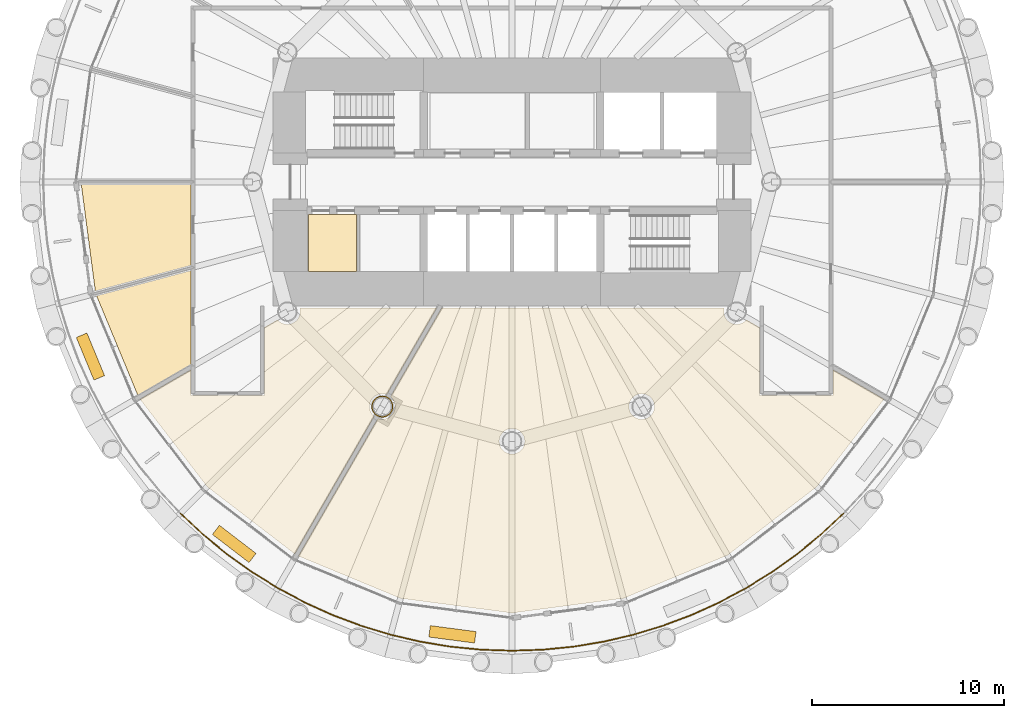
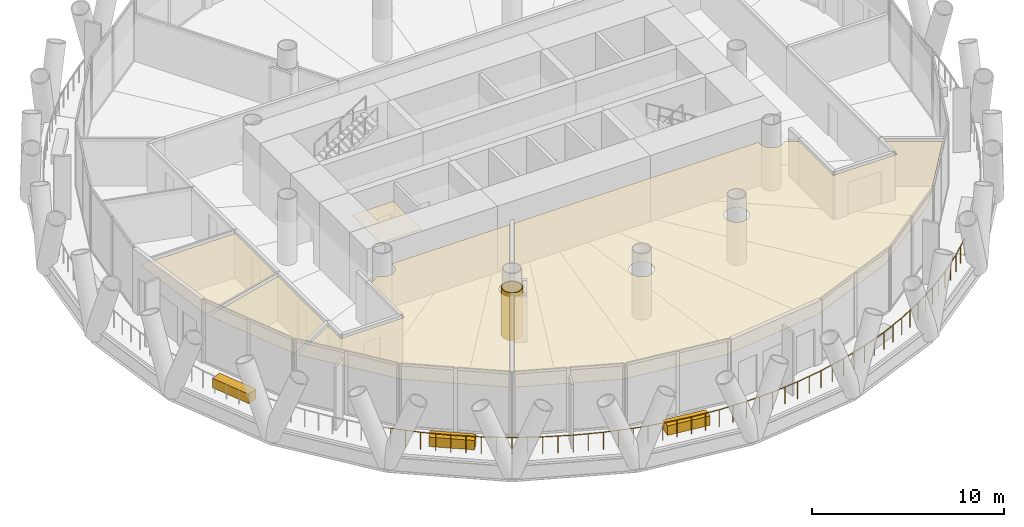
# One storey, part 11 of 14: 9 coverings, 1 railing.
"""IFC4 building model written with IfcOpenShell, lengths in metres."""

from ifc_helpers import new_model, si_unit, direction, frame, origin, origin_2d, place, context, subcontext, project, spatial, polyline, rectangle, circle, outline, extrude, material, layer, layer_set, type_object, element, save


model = new_model("IFC4")

# Units and contexts
model_context = context("Model", 3, precision=1e-05, world=origin(), true_north=direction((0.0, 1.0)))
body_context = subcontext(model_context, "Body", "Model", "MODEL_VIEW")
ifc_project = project(units=[si_unit("LENGTHUNIT", "METRE"), si_unit("AREAUNIT", "SQUARE_METRE"), si_unit("VOLUMEUNIT", "CUBIC_METRE"), si_unit("PLANEANGLEUNIT", "RADIAN"), si_unit("MASSUNIT", "GRAM", prefix="KILO")], contexts=[model_context])

# Site, building, storey
site_placement = place(None, origin())
site = spatial("IfcSite", under=ifc_project, at=site_placement, CompositionType="ELEMENT")
building_placement = place(site_placement, origin())
building = spatial("IfcBuilding", under=site, at=building_placement, Name="Qaws Media Tower", CompositionType="ELEMENT")
storey_placement = place(building_placement, frame((0.0, 0.0, 126.800048828125)))
storey = spatial("IfcBuildingStorey", under=building, at=storey_placement, Name="L28", CompositionType="ELEMENT", Elevation=126.800048828125)

# Railing
ifc_material_1 = material(Name="Stainless steel and glass guard", Category="steel")
railing_type = type_object("IfcRailingType", Name="Balcony guard 1100", PredefinedType="GUARDRAIL", material=ifc_material_1)
railing_placement = place(storey_placement, frame((42.74658203125, 32.74658203125, 0.0)))
element("IfcRailing", 1, at=railing_placement, inside=storey, type_object=railing_type, Name="GR1 balcony guard L28-3", PredefinedType="GUARDRAIL", context=body_context, shape_type="SweptSolid", body=[
    extrude(circle(Radius=0.02392578125, at=origin_2d()), frame((0.0, 0.0, 1.076171875), z_axis=(0.729818476027, -0.683640981839, 0.0), x_axis=(0.683640981839, 0.729818476027, 0.0)), (0.0, 0.0, 1.0), 1.5966796875),
    extrude(circle(Radius=0.02392578125, at=origin_2d()), frame((1.165283203125, -1.091552734375, 1.076171875), z_axis=(0.773036842629, -0.634361127386, 0.0), x_axis=(0.634361127386, 0.773036842629, 0.0)), (0.0, 0.0, 1.0), 1.5966796875),
    extrude(circle(Radius=0.02392578125, at=origin_2d()), frame((2.399658203125, -2.1044921875, 1.076171875), z_axis=(0.812875043976, -0.582438119358, 0.0), x_axis=(0.582438119358, 0.812875043976, 0.0)), (0.0, 0.0, 1.0), 1.5966796875),
    extrude(circle(Radius=0.02392578125, at=origin_2d()), frame((3.697509765625, -3.034423828125, 1.076171875), z_axis=(0.849181552622, -0.528101023183, 0.0), x_axis=(0.528101023183, 0.849181552622, 0.0)), (0.0, 0.0, 1.0), 1.5966796875),
    extrude(circle(Radius=0.02392578125, at=origin_2d()), frame((5.053466796875, -3.877685546875, 1.076171875), z_axis=(0.881925093019, -0.471389573817, 0.0), x_axis=(0.471389573817, 0.881925093019, 0.0)), (0.0, 0.0, 1.0), 1.5966796875),
    extrude(circle(Radius=0.02392578125, at=origin_2d()), frame((6.461669921875, -4.63037109375, 1.076171875), z_axis=(0.910868514456, -0.412696679624, 0.0), x_axis=(0.412696679624, 0.910868514456, 0.0)), (0.0, 0.0, 1.0), 1.5966796875),
    extrude(circle(Radius=0.02392578125, at=origin_2d()), frame((7.916015625, -5.289306640625, 1.076171875), z_axis=(0.935945304178, -0.352145406881, 0.0), x_axis=(0.352145406881, 0.935945304178, 0.0)), (0.0, 0.0, 1.0), 1.5966796875),
    extrude(circle(Radius=0.02392578125, at=origin_2d()), frame((9.410400390625, -5.8515625, 1.076171875), z_axis=(0.956912447649, -0.290376596051, 0.0), x_axis=(0.290376596051, 0.956912447649, 0.0)), (0.0, 0.0, 1.0), 1.5966796875),
    extrude(circle(Radius=0.02392578125, at=origin_2d()), frame((10.938232421875, -6.315185546875, 1.076171875), z_axis=(0.973878416925, -0.227070097211, 0.0), x_axis=(0.227070097211, 0.973878416925, 0.0)), (0.0, 0.0, 1.0), 1.5966796875),
    extrude(circle(Radius=0.02392578125, at=origin_2d()), frame((12.4931640625, -6.677734375, 1.076171875), z_axis=(0.986653027442, -0.162836738606, 0.0), x_axis=(0.162836738606, 0.986653027442, 0.0)), (0.0, 0.0, 1.0), 1.5966796875),
    extrude(circle(Radius=0.02392578125, at=origin_2d()), frame((14.068603515625, -6.937744140625, 1.076171875), z_axis=(0.995184458966, -0.098019858359, 0.0), x_axis=(0.098019858359, 0.995184458966, 0.0)), (0.0, 0.0, 1.0), 1.596435546875),
    extrude(circle(Radius=0.02392578125, at=origin_2d()), frame((15.657470703125, -7.09423828125, 1.076171875), z_axis=(0.999464583588, -0.032719201604, 0.0), x_axis=(0.032719201604, 0.999464583588, 0.0)), (0.0, 0.0, 1.0), 1.596923828125),
    extrude(circle(Radius=0.02392578125, at=origin_2d()), frame((17.25341796875, -7.146484375, 1.076171875), z_axis=(0.999464583588, 0.032719201604, 0.0), x_axis=(-0.032719201604, 0.999464583588, 0.0)), (0.0, 0.0, 1.0), 1.596923828125),
    extrude(circle(Radius=0.02392578125, at=origin_2d()), frame((18.849365234375, -7.09423828125, 1.076171875), z_axis=(0.995184458966, 0.098019858359, 0.0), x_axis=(-0.098019858359, 0.995184458966, 0.0)), (0.0, 0.0, 1.0), 1.596435546875),
    extrude(circle(Radius=0.02392578125, at=origin_2d()), frame((20.438232421875, -6.937744140625, 1.076171875), z_axis=(0.986653027442, 0.162836738606, 0.0), x_axis=(-0.162836738606, 0.986653027442, 0.0)), (0.0, 0.0, 1.0), 1.5966796875),
    extrude(circle(Radius=0.02392578125, at=origin_2d()), frame((22.013671875, -6.677734375, 1.076171875), z_axis=(0.973878416925, 0.227070097211, 0.0), x_axis=(-0.227070097211, 0.973878416925, 0.0)), (0.0, 0.0, 1.0), 1.5966796875),
    extrude(circle(Radius=0.02392578125, at=origin_2d()), frame((23.568603515625, -6.315185546875, 1.076171875), z_axis=(0.956912447649, 0.290376596051, 0.0), x_axis=(-0.290376596051, 0.956912447649, 0.0)), (0.0, 0.0, 1.0), 1.5966796875),
    extrude(circle(Radius=0.02392578125, at=origin_2d()), frame((25.096435546875, -5.8515625, 1.076171875), z_axis=(0.935945304178, 0.352145406881, 0.0), x_axis=(-0.352145406881, 0.935945304178, 0.0)), (0.0, 0.0, 1.0), 1.5966796875),
    extrude(circle(Radius=0.02392578125, at=origin_2d()), frame((26.5908203125, -5.289306640625, 1.076171875), z_axis=(0.910868514456, 0.412696679624, 0.0), x_axis=(-0.412696679624, 0.910868514456, 0.0)), (0.0, 0.0, 1.0), 1.5966796875),
    extrude(circle(Radius=0.02392578125, at=origin_2d()), frame((28.045166015625, -4.63037109375, 1.076171875), z_axis=(0.881925093019, 0.471389573817, 0.0), x_axis=(-0.471389573817, 0.881925093019, 0.0)), (0.0, 0.0, 1.0), 1.5966796875),
    extrude(circle(Radius=0.02392578125, at=origin_2d()), frame((29.453369140625, -3.877685546875, 1.076171875), z_axis=(0.849181552622, 0.528101023183, 0.0), x_axis=(-0.528101023183, 0.849181552622, 0.0)), (0.0, 0.0, 1.0), 1.5966796875),
    extrude(circle(Radius=0.02392578125, at=origin_2d()), frame((30.809326171875, -3.034423828125, 1.076171875), z_axis=(0.812875043976, 0.582438119358, 0.0), x_axis=(-0.582438119358, 0.812875043976, 0.0)), (0.0, 0.0, 1.0), 1.5966796875),
    extrude(circle(Radius=0.02392578125, at=origin_2d()), frame((32.107177734375, -2.1044921875, 1.076171875), z_axis=(0.773036842629, 0.634361127386, 0.0), x_axis=(-0.634361127386, 0.773036842629, 0.0)), (0.0, 0.0, 1.0), 1.5966796875),
    extrude(circle(Radius=0.02392578125, at=origin_2d()), frame((33.341552734375, -1.091552734375, 1.076171875), z_axis=(0.729818476027, 0.683640981839, 0.0), x_axis=(-0.683640981839, 0.729818476027, 0.0)), (0.0, 0.0, 1.0), 1.5966796875),
    extrude(circle(Radius=0.02099609375, at=origin_2d()), origin(), (0.0, 0.0, 1.0), 1.052001953125),
    extrude(circle(Radius=0.02099609375, at=origin_2d()), frame((0.58251953125, -0.5458984375, 0.0)), (0.0, 0.0, 1.0), 1.052001953125),
    extrude(circle(Radius=0.02099609375, at=origin_2d()), frame((1.165283203125, -1.091552734375, 0.0)), (0.0, 0.0, 1.0), 1.052001953125),
    extrude(circle(Radius=0.02099609375, at=origin_2d()), frame((1.782470703125, -1.59814453125, 0.0)), (0.0, 0.0, 1.0), 1.052001953125),
    extrude(circle(Radius=0.02099609375, at=origin_2d()), frame((2.399658203125, -2.1044921875, 0.0)), (0.0, 0.0, 1.0), 1.052001953125),
    extrude(circle(Radius=0.02099609375, at=origin_2d()), frame((3.048583984375, -2.5693359375, 0.0)), (0.0, 0.0, 1.0), 1.052001953125),
    extrude(circle(Radius=0.02099609375, at=origin_2d()), frame((3.697509765625, -3.034423828125, 0.0)), (0.0, 0.0, 1.0), 1.052001953125),
    extrude(circle(Radius=0.02099609375, at=origin_2d()), frame((4.37548828125, -3.4560546875, 0.0)), (0.0, 0.0, 1.0), 1.052001953125),
    extrude(circle(Radius=0.02099609375, at=origin_2d()), frame((5.053466796875, -3.877685546875, 0.0)), (0.0, 0.0, 1.0), 1.052001953125),
    extrude(circle(Radius=0.02099609375, at=origin_2d()), frame((5.757568359375, -4.25390625, 0.0)), (0.0, 0.0, 1.0), 1.052001953125),
    extrude(circle(Radius=0.02099609375, at=origin_2d()), frame((6.461669921875, -4.63037109375, 0.0)), (0.0, 0.0, 1.0), 1.052001953125),
    extrude(circle(Radius=0.02099609375, at=origin_2d()), frame((7.18896484375, -4.9599609375, 0.0)), (0.0, 0.0, 1.0), 1.052001953125),
    extrude(circle(Radius=0.02099609375, at=origin_2d()), frame((7.916015625, -5.289306640625, 0.0)), (0.0, 0.0, 1.0), 1.052001953125),
    extrude(circle(Radius=0.02099609375, at=origin_2d()), frame((8.6630859375, -5.5703125, 0.0)), (0.0, 0.0, 1.0), 1.052001953125),
    extrude(circle(Radius=0.02099609375, at=origin_2d()), frame((9.410400390625, -5.8515625, 0.0)), (0.0, 0.0, 1.0), 1.052001953125),
    extrude(circle(Radius=0.02099609375, at=origin_2d()), frame((10.17431640625, -6.08349609375, 0.0)), (0.0, 0.0, 1.0), 1.052001953125),
    extrude(circle(Radius=0.02099609375, at=origin_2d()), frame((10.938232421875, -6.315185546875, 0.0)), (0.0, 0.0, 1.0), 1.052001953125),
    extrude(circle(Radius=0.02099609375, at=origin_2d()), frame((11.7158203125, -6.49658203125, 0.0)), (0.0, 0.0, 1.0), 1.052001953125),
    extrude(circle(Radius=0.02099609375, at=origin_2d()), frame((12.4931640625, -6.677734375, 0.0)), (0.0, 0.0, 1.0), 1.052001953125),
    extrude(circle(Radius=0.02099609375, at=origin_2d()), frame((13.28076171875, -6.8076171875, 0.0)), (0.0, 0.0, 1.0), 1.052001953125),
    extrude(circle(Radius=0.02099609375, at=origin_2d()), frame((14.068603515625, -6.937744140625, 0.0)), (0.0, 0.0, 1.0), 1.052001953125),
    extrude(circle(Radius=0.02099609375, at=origin_2d()), frame((14.863037109375, -7.01611328125, 0.0)), (0.0, 0.0, 1.0), 1.052001953125),
    extrude(circle(Radius=0.02099609375, at=origin_2d()), frame((15.657470703125, -7.09423828125, 0.0)), (0.0, 0.0, 1.0), 1.052001953125),
    extrude(circle(Radius=0.02099609375, at=origin_2d()), frame((16.45556640625, -7.120361328125, 0.0)), (0.0, 0.0, 1.0), 1.052001953125),
    extrude(circle(Radius=0.02099609375, at=origin_2d()), frame((17.25341796875, -7.146484375, 0.0)), (0.0, 0.0, 1.0), 1.052001953125),
    extrude(circle(Radius=0.02099609375, at=origin_2d()), frame((18.05126953125, -7.120361328125, 0.0)), (0.0, 0.0, 1.0), 1.052001953125),
    extrude(circle(Radius=0.02099609375, at=origin_2d()), frame((18.849365234375, -7.09423828125, 0.0)), (0.0, 0.0, 1.0), 1.052001953125),
    extrude(circle(Radius=0.02099609375, at=origin_2d()), frame((19.643798828125, -7.01611328125, 0.0)), (0.0, 0.0, 1.0), 1.052001953125),
    extrude(circle(Radius=0.02099609375, at=origin_2d()), frame((20.438232421875, -6.937744140625, 0.0)), (0.0, 0.0, 1.0), 1.052001953125),
    extrude(circle(Radius=0.02099609375, at=origin_2d()), frame((21.22607421875, -6.8076171875, 0.0)), (0.0, 0.0, 1.0), 1.052001953125),
    extrude(circle(Radius=0.02099609375, at=origin_2d()), frame((22.013671875, -6.677734375, 0.0)), (0.0, 0.0, 1.0), 1.052001953125),
    extrude(circle(Radius=0.02099609375, at=origin_2d()), frame((22.791015625, -6.49658203125, 0.0)), (0.0, 0.0, 1.0), 1.052001953125),
    extrude(circle(Radius=0.02099609375, at=origin_2d()), frame((23.568603515625, -6.315185546875, 0.0)), (0.0, 0.0, 1.0), 1.052001953125),
    extrude(circle(Radius=0.02099609375, at=origin_2d()), frame((24.33251953125, -6.08349609375, 0.0)), (0.0, 0.0, 1.0), 1.052001953125),
    extrude(circle(Radius=0.02099609375, at=origin_2d()), frame((25.096435546875, -5.8515625, 0.0)), (0.0, 0.0, 1.0), 1.052001953125),
    extrude(circle(Radius=0.02099609375, at=origin_2d()), frame((25.84375, -5.5703125, 0.0)), (0.0, 0.0, 1.0), 1.052001953125),
    extrude(circle(Radius=0.02099609375, at=origin_2d()), frame((26.5908203125, -5.289306640625, 0.0)), (0.0, 0.0, 1.0), 1.052001953125),
    extrude(circle(Radius=0.02099609375, at=origin_2d()), frame((27.31787109375, -4.9599609375, 0.0)), (0.0, 0.0, 1.0), 1.052001953125),
    extrude(circle(Radius=0.02099609375, at=origin_2d()), frame((28.045166015625, -4.63037109375, 0.0)), (0.0, 0.0, 1.0), 1.052001953125),
    extrude(circle(Radius=0.02099609375, at=origin_2d()), frame((28.749267578125, -4.25390625, 0.0)), (0.0, 0.0, 1.0), 1.052001953125),
    extrude(circle(Radius=0.02099609375, at=origin_2d()), frame((29.453369140625, -3.877685546875, 0.0)), (0.0, 0.0, 1.0), 1.052001953125),
    extrude(circle(Radius=0.02099609375, at=origin_2d()), frame((30.13134765625, -3.4560546875, 0.0)), (0.0, 0.0, 1.0), 1.052001953125),
    extrude(circle(Radius=0.02099609375, at=origin_2d()), frame((30.809326171875, -3.034423828125, 0.0)), (0.0, 0.0, 1.0), 1.052001953125),
    extrude(circle(Radius=0.02099609375, at=origin_2d()), frame((31.458251953125, -2.5693359375, 0.0)), (0.0, 0.0, 1.0), 1.052001953125),
    extrude(circle(Radius=0.02099609375, at=origin_2d()), frame((32.107177734375, -2.1044921875, 0.0)), (0.0, 0.0, 1.0), 1.052001953125),
    extrude(circle(Radius=0.02099609375, at=origin_2d()), frame((32.724365234375, -1.59814453125, 0.0)), (0.0, 0.0, 1.0), 1.052001953125),
    extrude(circle(Radius=0.02099609375, at=origin_2d()), frame((33.341552734375, -1.091552734375, 0.0)), (0.0, 0.0, 1.0), 1.052001953125),
    extrude(circle(Radius=0.02099609375, at=origin_2d()), frame((33.92431640625, -0.5458984375, 0.0)), (0.0, 0.0, 1.0), 1.052001953125),
    extrude(circle(Radius=0.02099609375, at=origin_2d()), frame((34.5068359375, 0.0, 0.0)), (0.0, 0.0, 1.0), 1.052001953125),
])

# Coverings
ifc_material_2 = material(Name="Two layers 15 fire-rated gypsum board on steel framing", Category="steel")
ifc_layer_1 = layer(ifc_material_2, 0.050048828125)
ifc_layer_set_1 = layer_set([ifc_layer_1], Name="Column fire casing")
covering_type_1 = type_object("IfcCoveringType", Name="Column fire casing", PredefinedType="CLADDING", material=ifc_layer_set_1)
covering_1_placement = place(storey_placement, origin())
element("IfcCovering", 2, at=covering_1_placement, inside=storey, type_object=covering_type_1, Name="CC1 column casing L28", PredefinedType="CLADDING", context=body_context, shape_type="SweptSolid", body=[
    extrude(outline(polyline([(53.81298828125, 38.30859375), (53.80810546875, 38.235107421875), (53.793701171875, 38.162841796875), (53.77001953125, 38.09326171875), (53.737548828125, 38.027099609375), (53.69677734375, 37.9658203125), (53.648193359375, 37.91064453125), (53.5927734375, 37.862060546875), (53.531494140625, 37.821044921875), (53.465576171875, 37.78857421875), (53.395751953125, 37.764892578125), (53.323486328125, 37.75048828125), (53.25, 37.74560546875), (53.176513671875, 37.75048828125), (53.104248046875, 37.764892578125), (53.034423828125, 37.78857421875), (52.968505859375, 37.821044921875), (52.9072265625, 37.862060546875), (52.851806640625, 37.91064453125), (52.80322265625, 37.9658203125), (52.762451171875, 38.027099609375), (52.72998046875, 38.09326171875), (52.706298828125, 38.162841796875), (52.69189453125, 38.235107421875), (52.68701171875, 38.30859375), (52.69189453125, 38.382080078125), (52.706298828125, 38.454345703125), (52.72998046875, 38.524169921875), (52.762451171875, 38.590087890625), (52.80322265625, 38.6513671875), (52.851806640625, 38.706787109375), (52.9072265625, 38.75537109375), (52.968505859375, 38.796142578125), (53.034423828125, 38.828857421875), (53.104248046875, 38.8525390625), (53.176513671875, 38.86669921875), (53.25, 38.87158203125), (53.323486328125, 38.86669921875), (53.395751953125, 38.8525390625), (53.465576171875, 38.828857421875), (53.531494140625, 38.796142578125), (53.5927734375, 38.75537109375), (53.648193359375, 38.706787109375), (53.69677734375, 38.6513671875), (53.737548828125, 38.590087890625), (53.77001953125, 38.524169921875), (53.793701171875, 38.454345703125), (53.80810546875, 38.382080078125), (53.81298828125, 38.30859375)]), holes=[polyline([(53.760986328125, 38.30859375), (53.756591796875, 38.241943359375), (53.74365234375, 38.176513671875), (53.72216796875, 38.113037109375), (53.6923828125, 38.05322265625), (53.655517578125, 37.99755859375), (53.611328125, 37.947265625), (53.56103515625, 37.9033203125), (53.505615234375, 37.8662109375), (53.445556640625, 37.836669921875), (53.38232421875, 37.815185546875), (53.316650390625, 37.802001953125), (53.25, 37.797607421875), (53.183349609375, 37.802001953125), (53.11767578125, 37.815185546875), (53.054443359375, 37.836669921875), (52.994384765625, 37.8662109375), (52.93896484375, 37.9033203125), (52.888671875, 37.947265625), (52.844482421875, 37.99755859375), (52.8076171875, 38.05322265625), (52.77783203125, 38.113037109375), (52.75634765625, 38.176513671875), (52.743408203125, 38.241943359375), (52.739013671875, 38.30859375), (52.743408203125, 38.37548828125), (52.75634765625, 38.44091796875), (52.77783203125, 38.504150390625), (52.8076171875, 38.564208984375), (52.844482421875, 38.61962890625), (52.888671875, 38.669921875), (52.93896484375, 38.714111328125), (52.994384765625, 38.751220703125), (53.054443359375, 38.78076171875), (53.11767578125, 38.80224609375), (53.183349609375, 38.815185546875), (53.25, 38.819580078125), (53.316650390625, 38.815185546875), (53.38232421875, 38.80224609375), (53.445556640625, 38.78076171875), (53.505615234375, 38.751220703125), (53.56103515625, 38.714111328125), (53.611328125, 38.669921875), (53.655517578125, 38.61962890625), (53.6923828125, 38.564208984375), (53.72216796875, 38.504150390625), (53.74365234375, 38.44091796875), (53.756591796875, 38.37548828125), (53.760986328125, 38.30859375)])]), origin(), (0.0, 0.0, 1.0), 3.02001953125),
])
ifc_material_3 = material(Name="600 x 600 mineral fibre tiles in exposed grid, suspended", Category="mineral fibre")
ifc_layer_2 = layer(ifc_material_3, 0.02001953125)
ifc_layer_set_2 = layer_set([ifc_layer_2], Name="Mineral fibre tile ceiling 20")
covering_type_2 = type_object("IfcCoveringType", Name="Mineral fibre tile ceiling 20", PredefinedType="CEILING", material=ifc_layer_set_2)
covering_2_placement = place(storey_placement, frame((0.0, 0.0, 2.849853515625)))
element("IfcCovering", 3, at=covering_2_placement, inside=storey, type_object=covering_type_2, Name="CL1 ceiling L28-06 Office", PredefinedType="CEILING", context=body_context, shape_type="SweptSolid", body=[
    extrude(outline(polyline([(37.57958984375, 49.887451171875), (43.28759765625, 49.887451171875), (43.28759765625, 45.638427734375), (38.314453125, 44.305908203125), (37.57958984375, 49.887451171875)])), origin(), (0.0, 0.0, 1.0), 0.02001953125),
])
covering_3_placement = place(storey_placement, frame((0.0, 0.0, 2.849853515625)))
element("IfcCovering", 4, at=covering_3_placement, inside=storey, type_object=covering_type_2, Name="CL1 ceiling L28-07 Office", PredefinedType="CEILING", context=body_context, shape_type="SweptSolid", body=[
    extrude(outline(polyline([(38.372802734375, 44.08837890625), (43.28759765625, 45.405517578125), (43.28759765625, 40.48095703125), (40.527099609375, 38.88720703125), (38.372802734375, 44.08837890625)])), origin(), (0.0, 0.0, 1.0), 0.02001953125),
])
covering_4_placement = place(storey_placement, frame((0.0, 0.0, 2.849853515625)))
element("IfcCovering", 5, at=covering_4_placement, inside=storey, type_object=covering_type_2, Name="CL1 ceiling L28-08 Finance office", PredefinedType="CEILING", context=body_context, shape_type="SweptSolid", body=[
    extrude(outline(polyline([(44.135986328125, 34.135986328125), (40.6396484375, 38.6923828125), (43.28759765625, 40.22119140625), (43.28759765625, 38.887451171875), (47.112548828125, 38.887451171875), (47.112548828125, 42.429443359375), (47.795654296875, 42.823974609375), (47.836181640625, 42.777587890625), (47.902099609375, 42.719970703125), (47.974609375, 42.67138671875), (48.052978515625, 42.6328125), (48.1357421875, 42.604736328125), (48.221435546875, 42.587646484375), (48.30859375, 42.58203125), (48.395751953125, 42.587646484375), (48.4814453125, 42.604736328125), (48.564208984375, 42.6328125), (48.642578125, 42.67138671875), (48.71533203125, 42.719970703125), (48.781005859375, 42.777587890625), (48.838623046875, 42.84326171875), (48.88720703125, 42.916015625), (48.92578125, 42.994384765625), (48.953857421875, 43.0771484375), (48.970947265625, 43.162841796875), (48.976806640625, 43.25), (48.970947265625, 43.337158203125), (48.953857421875, 43.4228515625), (48.948974609375, 43.4375), (56.081298828125, 43.4375), (53.481201171875, 38.93408203125), (53.4228515625, 38.953857421875), (53.337158203125, 38.970947265625), (53.25, 38.976806640625), (53.162841796875, 38.970947265625), (53.0771484375, 38.953857421875), (52.994384765625, 38.92578125), (52.916015625, 38.88720703125), (52.84326171875, 38.838623046875), (52.777587890625, 38.781005859375), (52.719970703125, 38.71533203125), (52.67138671875, 38.642578125), (52.6328125, 38.564208984375), (52.604736328125, 38.4814453125), (52.587646484375, 38.395751953125), (52.58203125, 38.30859375), (52.587646484375, 38.221435546875), (52.604736328125, 38.1357421875), (52.6328125, 38.052978515625), (52.67138671875, 37.974609375), (52.719970703125, 37.902099609375), (52.777587890625, 37.836181640625), (52.823974609375, 37.795654296875), (48.6923828125, 30.6396484375), (44.135986328125, 34.135986328125)])), origin(), (0.0, 0.0, 1.0), 0.02001953125),
])
covering_5_placement = place(storey_placement, frame((0.0, 0.0, 2.849853515625)))
element("IfcCovering", 6, at=covering_5_placement, inside=storey, type_object=covering_type_2, Name="CL1 ceiling L28-09 Finance office", PredefinedType="CEILING", context=body_context, shape_type="SweptSolid", body=[
    extrude(outline(polyline([(72.887451171875, 38.887451171875), (76.71240234375, 38.887451171875), (76.71240234375, 40.22119140625), (79.3603515625, 38.6923828125), (75.864013671875, 34.135986328125), (71.217529296875, 30.570556640625), (65.806640625, 28.3291015625), (60.0, 27.564697265625), (54.193359375, 28.3291015625), (48.88720703125, 30.527099609375), (53.018798828125, 37.68310546875), (53.0771484375, 37.663330078125), (53.162841796875, 37.646484375), (53.25, 37.640625), (53.337158203125, 37.646484375), (53.4228515625, 37.663330078125), (53.505615234375, 37.69140625), (53.583984375, 37.730224609375), (53.65673828125, 37.77880859375), (53.722412109375, 37.836181640625), (53.780029296875, 37.902099609375), (53.82861328125, 37.974609375), (53.8671875, 38.052978515625), (53.895263671875, 38.1357421875), (53.912353515625, 38.221435546875), (53.91796875, 38.30859375), (53.912353515625, 38.395751953125), (53.895263671875, 38.4814453125), (53.8671875, 38.564208984375), (53.82861328125, 38.642578125), (53.780029296875, 38.71533203125), (53.722412109375, 38.781005859375), (53.676025390625, 38.821533203125), (56.341064453125, 43.4375), (71.051025390625, 43.4375), (71.046142578125, 43.4228515625), (71.029052734375, 43.337158203125), (71.023193359375, 43.25), (71.029052734375, 43.162841796875), (71.046142578125, 43.0771484375), (71.07421875, 42.994384765625), (71.11279296875, 42.916015625), (71.161376953125, 42.84326171875), (71.218994140625, 42.777587890625), (71.28466796875, 42.719970703125), (71.357421875, 42.67138671875), (71.435791015625, 42.6328125), (71.5185546875, 42.604736328125), (71.604248046875, 42.587646484375), (71.69140625, 42.58203125), (71.778564453125, 42.587646484375), (71.8642578125, 42.604736328125), (71.947021484375, 42.6328125), (72.025390625, 42.67138671875), (72.097900390625, 42.719970703125), (72.163818359375, 42.777587890625), (72.204345703125, 42.823974609375), (72.887451171875, 42.429443359375), (72.887451171875, 38.887451171875)]), holes=[polyline([(60.645263671875, 36.3271484375), (60.662353515625, 36.412841796875), (60.66796875, 36.5), (60.662353515625, 36.587158203125), (60.645263671875, 36.6728515625), (60.6171875, 36.755615234375), (60.57861328125, 36.833984375), (60.530029296875, 36.90673828125), (60.472412109375, 36.972412109375), (60.40673828125, 37.030029296875), (60.333984375, 37.07861328125), (60.255615234375, 37.1171875), (60.1728515625, 37.145263671875), (60.087158203125, 37.162353515625), (60.0, 37.16796875), (59.912841796875, 37.162353515625), (59.8271484375, 37.145263671875), (59.744384765625, 37.1171875), (59.666015625, 37.07861328125), (59.59326171875, 37.030029296875), (59.527587890625, 36.972412109375), (59.469970703125, 36.90673828125), (59.42138671875, 36.833984375), (59.3828125, 36.755615234375), (59.354736328125, 36.6728515625), (59.337646484375, 36.587158203125), (59.33203125, 36.5), (59.337646484375, 36.412841796875), (59.354736328125, 36.3271484375), (59.3828125, 36.244384765625), (59.42138671875, 36.166015625), (59.469970703125, 36.09326171875), (59.527587890625, 36.027587890625), (59.59326171875, 35.969970703125), (59.666015625, 35.92138671875), (59.744384765625, 35.8828125), (59.8271484375, 35.854736328125), (59.912841796875, 35.837646484375), (60.0, 35.83203125), (60.087158203125, 35.837646484375), (60.1728515625, 35.854736328125), (60.255615234375, 35.8828125), (60.333984375, 35.92138671875), (60.40673828125, 35.969970703125), (60.472412109375, 36.027587890625), (60.530029296875, 36.09326171875), (60.57861328125, 36.166015625), (60.6171875, 36.244384765625), (60.645263671875, 36.3271484375)]), polyline([(67.3671875, 38.052978515625), (67.395263671875, 38.1357421875), (67.412353515625, 38.221435546875), (67.41796875, 38.30859375), (67.412353515625, 38.395751953125), (67.395263671875, 38.4814453125), (67.3671875, 38.564208984375), (67.32861328125, 38.642578125), (67.280029296875, 38.71533203125), (67.222412109375, 38.781005859375), (67.15673828125, 38.838623046875), (67.083984375, 38.88720703125), (67.005615234375, 38.92578125), (66.9228515625, 38.953857421875), (66.837158203125, 38.970947265625), (66.75, 38.976806640625), (66.662841796875, 38.970947265625), (66.5771484375, 38.953857421875), (66.494384765625, 38.92578125), (66.416015625, 38.88720703125), (66.34326171875, 38.838623046875), (66.277587890625, 38.781005859375), (66.219970703125, 38.71533203125), (66.17138671875, 38.642578125), (66.1328125, 38.564208984375), (66.104736328125, 38.4814453125), (66.087646484375, 38.395751953125), (66.08203125, 38.30859375), (66.087646484375, 38.221435546875), (66.104736328125, 38.1357421875), (66.1328125, 38.052978515625), (66.17138671875, 37.974609375), (66.219970703125, 37.902099609375), (66.277587890625, 37.836181640625), (66.34326171875, 37.77880859375), (66.416015625, 37.730224609375), (66.494384765625, 37.69140625), (66.5771484375, 37.663330078125), (66.662841796875, 37.646484375), (66.75, 37.640625), (66.837158203125, 37.646484375), (66.9228515625, 37.663330078125), (67.005615234375, 37.69140625), (67.083984375, 37.730224609375), (67.15673828125, 37.77880859375), (67.222412109375, 37.836181640625), (67.280029296875, 37.902099609375), (67.32861328125, 37.974609375), (67.3671875, 38.052978515625)])]), origin(), (0.0, 0.0, 1.0), 0.02001953125),
])
covering_6_placement = place(storey_placement, frame((0.0, 0.0, 2.849853515625)))
element("IfcCovering", 7, at=covering_6_placement, inside=storey, type_object=covering_type_2, Name="CL1 ceiling L28-C04 Shower room", PredefinedType="CEILING", context=body_context, shape_type="SweptSolid", body=[
    extrude(outline(polyline([(49.39990234375, 45.35009765625), (49.39990234375, 48.300048828125), (51.89990234375, 48.300048828125), (51.89990234375, 45.35009765625), (49.39990234375, 45.35009765625)])), origin(), (0.0, 0.0, 1.0), 0.02001953125),
])
ifc_material_4 = material(Name="Precast concrete planter with trailing planting", Category="concrete")
ifc_layer_3 = layer(ifc_material_4, 0.60009765625)
ifc_layer_set_3 = layer_set([ifc_layer_3], Name="Planter 2400x600")
covering_type_3 = type_object("IfcCoveringType", Name="Planter 2400x600", PredefinedType="USERDEFINED", material=ifc_layer_set_3)
for number, where, z_axis, x_axis, name in (
    (8, (38.057861328125, 40.911376953125, 0.0), (0.0, 0.0, 1.0), (0.382683432365, -0.923879532511, 0.0), "PL1 balcony planter L28-07"),
    (9, (45.5419921875, 31.157958984375, 0.0), (0.0, 0.0, 1.0), (0.793353340291, -0.608761429009, 0.0), "PL1 balcony planter L28-08"),
    (10, (56.89990234375, 26.453125, 0.0), (0.0, 0.0, 1.0), (0.991444861374, -0.13052619222, 0.0), "PL1 balcony planter L28-09"),
):
    element("IfcCovering", number, at=place(storey_placement, frame(where, z_axis=z_axis, x_axis=x_axis)), inside=storey, type_object=covering_type_3, Name=name, ObjectType="PLANTER", PredefinedType="USERDEFINED", context=body_context, shape_type="SweptSolid", body=[
        extrude(rectangle(XDim=2.39990234375, YDim=0.60009765625, at=origin_2d()), origin(), (0.0, 0.0, 1.0), 0.60009765625),
    ])

save(model, "model.ifc")
